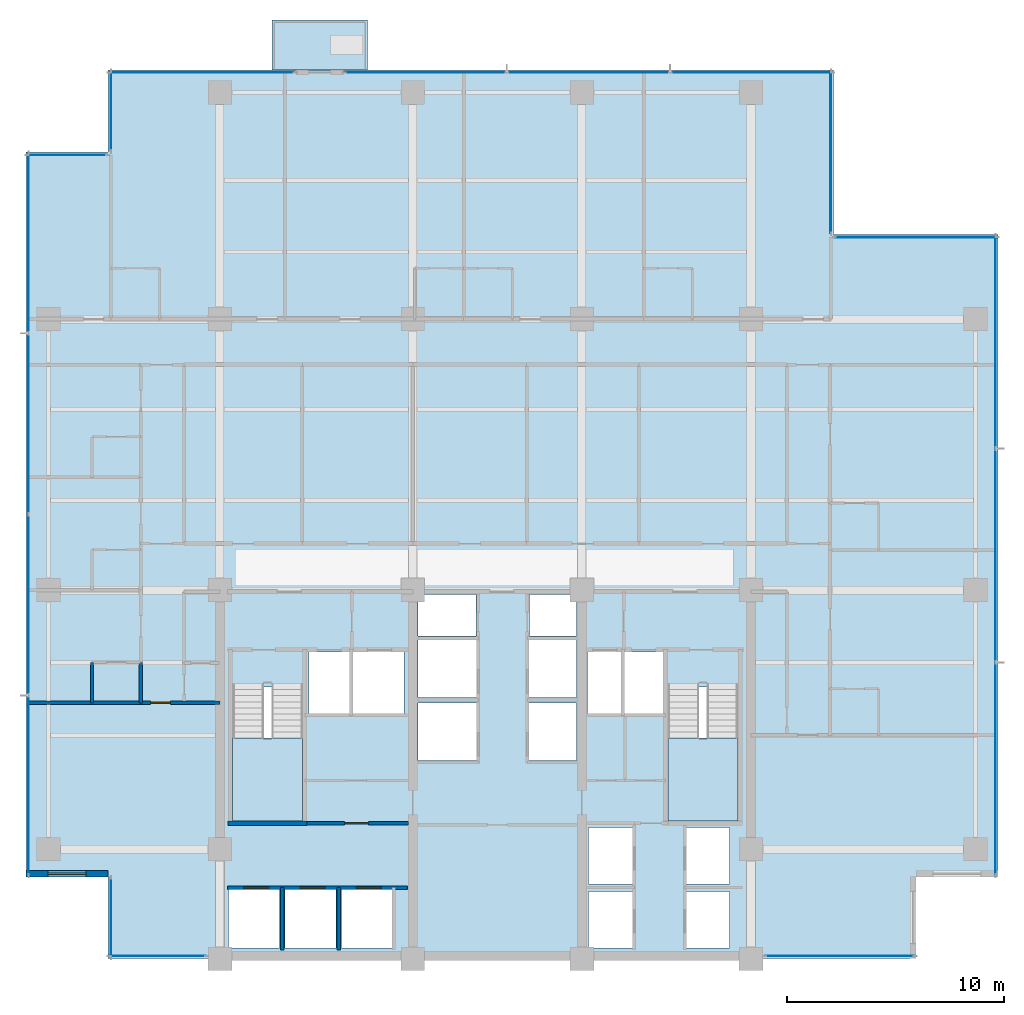
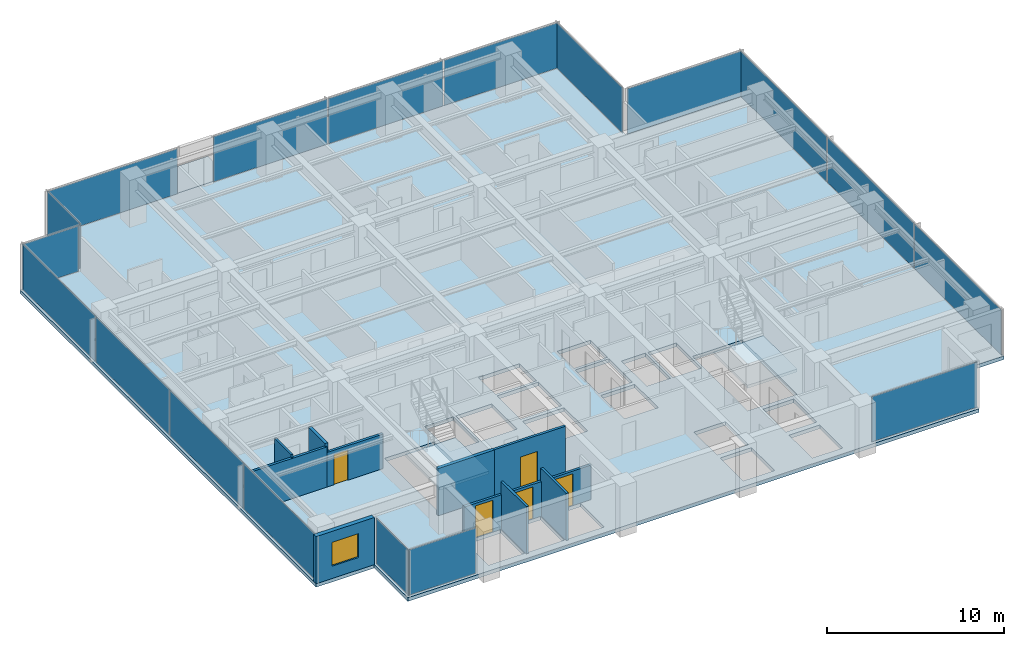
# One storey, part 6 of 15: 18 plates, 10 walls, 5 doors, 4 slabs, 1 window, 6 openings, 13 elements without a shape of their own.
"""IFC4 building model written with IfcOpenShell, lengths in metres."""

from ifc_helpers import new_model, si_unit, direction, frame, frame_2d, origin, origin_2d, place, context, subcontext, project, spatial, polyline, rectangle, outline, extrude, material, layer, layer_set, type_object, element, fill, aggregate, save


model = new_model("IFC4")

# Units and contexts
model_context = context("Model", 3, precision=1e-05, world=origin(), true_north=direction((0.0, 1.0)))
body_context = subcontext(model_context, "Body", "Model", "MODEL_VIEW")
ifc_project = project(units=[si_unit("LENGTHUNIT", "METRE"), si_unit("AREAUNIT", "SQUARE_METRE"), si_unit("VOLUMEUNIT", "CUBIC_METRE"), si_unit("PLANEANGLEUNIT", "RADIAN"), si_unit("MASSUNIT", "GRAM", prefix="KILO")], contexts=[model_context])

# Site, building, storey
site_placement = place(None, origin())
site = spatial("IfcSite", under=ifc_project, at=site_placement, CompositionType="ELEMENT")
building_placement = place(site_placement, origin())
building = spatial("IfcBuilding", under=site, at=building_placement, Name="Qalmaran Belvedere Hotel", CompositionType="ELEMENT")
storey_placement = place(building_placement, frame((0.0, 0.0, 142.10009765625)))
storey = spatial("IfcBuildingStorey", under=building, at=storey_placement, Name="L35", CompositionType="ELEMENT", Elevation=142.10009765625)

# Curtain wall, plate
ifc_material_1 = material(Name="Anodised Bronze Aluminium", Category="aluminium")
ifc_layer_1 = layer(ifc_material_1, 0.195068359375, Name="Anodised Bronze Aluminium")
ifc_layer_set_1 = layer_set([ifc_layer_1], Name="Anodised Bronze Aluminium")
curtain_wall_type = type_object("IfcCurtainWallType", Name="CW4-TOWER-HIGHMID", PredefinedType="NOTDEFINED", material=ifc_layer_set_1)
curtain_wall_1_placement = place(storey_placement, origin())
curtain_wall_1 = element("IfcCurtainWall", 1, at=curtain_wall_1_placement, inside=storey, type_object=curtain_wall_type, Name="L35 Curtain Wall CW4", PredefinedType="NOTDEFINED")
ifc_material_2 = material(Name="Solar-Control Double Glazing", Category="glass")
ifc_layer_2 = layer(ifc_material_2, 0.028076171875, Name="Solar-Control Double Glazing")
ifc_layer_set_2 = layer_set([ifc_layer_2], Name="Solar-Control Double Glazing")
plate_type = type_object("IfcPlateType", Name="CWP-VISION-28", PredefinedType="CURTAIN_PANEL", material=ifc_layer_set_2)
plate_1_placement = place(storey_placement, frame((17.429931640625, 3.6201171875, 0.06494140625), z_axis=(0.0, 0.0, 1.0), x_axis=(1.0, 0.0, 0.0)))
plate_1 = element("IfcPlate", 2, at=plate_1_placement, type_object=plate_type, Name="CW4 panel 1.1", PredefinedType="CURTAIN_PANEL", context=body_context, shape_type="SweptSolid", body=[
    extrude(rectangle(XDim=4.419921875, YDim=0.028076171875, at=origin_2d()), origin(), (0.0, 0.0, 1.0), 3.1201171875),
])
aggregate(curtain_wall_1, [plate_1])

curtain_wall_2_placement = place(storey_placement, origin())
curtain_wall_2 = element("IfcCurtainWall", 3, at=curtain_wall_2_placement, inside=storey, type_object=curtain_wall_type, Name="L35 Curtain Wall CW4", PredefinedType="NOTDEFINED")
plate_2_placement = place(storey_placement, frame((48.89501953125, 3.6201171875, 0.06494140625), z_axis=(0.0, 0.0, 1.0), x_axis=(1.0, 0.0, 0.0)))
plate_2 = element("IfcPlate", 4, at=plate_2_placement, type_object=plate_type, Name="CW4 panel 1.1", PredefinedType="CURTAIN_PANEL", context=body_context, shape_type="SweptSolid", body=[
    extrude(rectangle(XDim=6.8701171875, YDim=0.028076171875, at=origin_2d()), origin(), (0.0, 0.0, 1.0), 3.1201171875),
])
aggregate(curtain_wall_2, [plate_2])

# Curtain wall, plates
curtain_wall_3_placement = place(storey_placement, origin())
curtain_wall_3 = element("IfcCurtainWall", 5, at=curtain_wall_3_placement, inside=storey, type_object=curtain_wall_type, Name="L35 Curtain Wall CW4", PredefinedType="NOTDEFINED")
plate_3_placement = place(storey_placement, frame((56.080078125, 12.250732421875, 0.06494140625), z_axis=(0.0, 0.0, 1.0), x_axis=(0.0, 1.0, 0.0)))
plate_3 = element("IfcPlate", 6, at=plate_3_placement, type_object=plate_type, Name="CW4 panel 1.1", PredefinedType="CURTAIN_PANEL", context=body_context, shape_type="SweptSolid", body=[
    extrude(rectangle(XDim=9.76171875, YDim=0.028076171875, at=origin_2d()), origin(), (0.0, 0.0, 1.0), 3.1201171875),
])
plate_4_placement = place(storey_placement, frame((56.080078125, 22.10009765625, 0.06494140625), z_axis=(0.0, 0.0, 1.0), x_axis=(0.0, 1.0, 0.0)))
plate_4 = element("IfcPlate", 7, at=plate_4_placement, type_object=plate_type, Name="CW4 panel 2.1", PredefinedType="CURTAIN_PANEL", context=body_context, shape_type="SweptSolid", body=[
    extrude(rectangle(XDim=9.796630859375, YDim=0.028076171875, at=origin_2d()), origin(), (0.0, 0.0, 1.0), 3.1201171875),
])
plate_5_placement = place(storey_placement, frame((56.080078125, 31.94921875, 0.06494140625), z_axis=(0.0, 0.0, 1.0), x_axis=(0.0, 1.0, 0.0)))
plate_5 = element("IfcPlate", 8, at=plate_5_placement, type_object=plate_type, Name="CW4 panel 3.1", PredefinedType="CURTAIN_PANEL", context=body_context, shape_type="SweptSolid", body=[
    extrude(rectangle(XDim=9.76171875, YDim=0.028076171875, at=origin_2d()), origin(), (0.0, 0.0, 1.0), 3.1201171875),
])
aggregate(curtain_wall_3, [plate_3, plate_4, plate_5])

# Curtain wall, plate
curtain_wall_4_placement = place(storey_placement, origin())
curtain_wall_4 = element("IfcCurtainWall", 9, at=curtain_wall_4_placement, inside=storey, type_object=curtain_wall_type, Name="L35 Curtain Wall CW4", PredefinedType="NOTDEFINED")
plate_6_placement = place(storey_placement, frame((52.39990234375, 36.780029296875, 0.06494140625), z_axis=(0.0, 0.0, 1.0), x_axis=(-1.0, 0.0, 0.0)))
plate_6 = element("IfcPlate", 10, at=plate_6_placement, type_object=plate_type, Name="CW4 panel 1.1", PredefinedType="CURTAIN_PANEL", context=body_context, shape_type="SweptSolid", body=[
    extrude(rectangle(XDim=7.4599609375, YDim=0.028076171875, at=origin_2d()), origin(), (0.0, 0.0, 1.0), 3.1201171875),
])
aggregate(curtain_wall_4, [plate_6])

curtain_wall_5_placement = place(storey_placement, origin())
curtain_wall_5 = element("IfcCurtainWall", 11, at=curtain_wall_5_placement, inside=storey, type_object=curtain_wall_type, Name="L35 Curtain Wall CW4", PredefinedType="NOTDEFINED")
plate_7_placement = place(storey_placement, frame((48.47998046875, 40.699951171875, 0.06494140625), z_axis=(0.0, 0.0, 1.0), x_axis=(0.0, 1.0, 0.0)))
plate_7 = element("IfcPlate", 12, at=plate_7_placement, type_object=plate_type, Name="CW4 panel 1.1", PredefinedType="CURTAIN_PANEL", context=body_context, shape_type="SweptSolid", body=[
    extrude(rectangle(XDim=7.4599609375, YDim=0.028076171875, at=origin_2d()), origin(), (0.0, 0.0, 1.0), 3.1201171875),
])
aggregate(curtain_wall_5, [plate_7])

curtain_wall_6_placement = place(storey_placement, origin())
curtain_wall_6 = element("IfcCurtainWall", 13, at=curtain_wall_6_placement, inside=storey, type_object=curtain_wall_type, Name="L35 Curtain Wall CW4", PredefinedType="NOTDEFINED")
plate_8_placement = place(storey_placement, frame((19.47509765625, 44.3798828125, 0.06494140625), z_axis=(0.0, 0.0, 1.0), x_axis=(-1.0, 0.0, 0.0)))
plate_8 = element("IfcPlate", 14, at=plate_8_placement, type_object=plate_type, Name="CW4 panel 1.1", PredefinedType="CURTAIN_PANEL", context=body_context, shape_type="SweptSolid", body=[
    extrude(rectangle(XDim=8.510009765625, YDim=0.028076171875, at=origin_2d()), origin(), (0.0, 0.0, 1.0), 3.1201171875),
])
aggregate(curtain_wall_6, [plate_8])

# Curtain wall, plates
curtain_wall_7_placement = place(storey_placement, origin())
curtain_wall_7 = element("IfcCurtainWall", 15, at=curtain_wall_7_placement, inside=storey, type_object=curtain_wall_type, Name="L35 Curtain Wall CW4", PredefinedType="NOTDEFINED")
plate_9_placement = place(storey_placement, frame((44.81591796875, 44.3798828125, 0.06494140625), z_axis=(0.0, 0.0, 1.0), x_axis=(-1.0, 0.0, 0.0)))
plate_9 = element("IfcPlate", 16, at=plate_9_placement, type_object=plate_type, Name="CW4 panel 1.1", PredefinedType="CURTAIN_PANEL", context=body_context, shape_type="SweptSolid", body=[
    extrude(rectangle(XDim=7.42822265625, YDim=0.028076171875, at=origin_2d()), origin(), (0.0, 0.0, 1.0), 3.1201171875),
])
plate_10_placement = place(storey_placement, frame((37.300048828125, 44.3798828125, 0.06494140625), z_axis=(0.0, 0.0, 1.0), x_axis=(-1.0, 0.0, 0.0)))
plate_10 = element("IfcPlate", 17, at=plate_10_placement, type_object=plate_type, Name="CW4 panel 2.1", PredefinedType="CURTAIN_PANEL", context=body_context, shape_type="SweptSolid", body=[
    extrude(rectangle(XDim=7.46337890625, YDim=0.028076171875, at=origin_2d()), origin(), (0.0, 0.0, 1.0), 3.1201171875),
])
plate_11_placement = place(storey_placement, frame((29.7841796875, 44.3798828125, 0.06494140625), z_axis=(0.0, 0.0, 1.0), x_axis=(-1.0, 0.0, 0.0)))
plate_11 = element("IfcPlate", 18, at=plate_11_placement, type_object=plate_type, Name="CW4 panel 3.1", PredefinedType="CURTAIN_PANEL", context=body_context, shape_type="SweptSolid", body=[
    extrude(rectangle(XDim=7.42822265625, YDim=0.028076171875, at=origin_2d()), origin(), (0.0, 0.0, 1.0), 3.1201171875),
])
aggregate(curtain_wall_7, [plate_9, plate_10, plate_11])

# Curtain wall, plate
curtain_wall_8_placement = place(storey_placement, origin())
curtain_wall_8 = element("IfcCurtainWall", 19, at=curtain_wall_8_placement, inside=storey, type_object=curtain_wall_type, Name="L35 Curtain Wall CW4", PredefinedType="NOTDEFINED")
plate_12_placement = place(storey_placement, frame((15.27001953125, 42.60009765625, 0.06494140625), z_axis=(0.0, 0.0, 1.0), x_axis=(0.0, -1.0, 0.0)))
plate_12 = element("IfcPlate", 20, at=plate_12_placement, type_object=plate_type, Name="CW4 panel 1.1", PredefinedType="CURTAIN_PANEL", context=body_context, shape_type="SweptSolid", body=[
    extrude(rectangle(XDim=3.659912109375, YDim=0.028076171875, at=origin_2d()), origin(), (0.0, 0.0, 1.0), 3.1201171875),
])
aggregate(curtain_wall_8, [plate_12])

curtain_wall_9_placement = place(storey_placement, origin())
curtain_wall_9 = element("IfcCurtainWall", 21, at=curtain_wall_9_placement, inside=storey, type_object=curtain_wall_type, Name="L35 Curtain Wall CW4", PredefinedType="NOTDEFINED")
plate_13_placement = place(storey_placement, frame((13.25, 40.580078125, 0.06494140625), z_axis=(0.0, 0.0, 1.0), x_axis=(-1.0, 0.0, 0.0)))
plate_13 = element("IfcPlate", 22, at=plate_13_placement, type_object=plate_type, Name="CW4 panel 1.1", PredefinedType="CURTAIN_PANEL", context=body_context, shape_type="SweptSolid", body=[
    extrude(rectangle(XDim=3.659912109375, YDim=0.028076171875, at=origin_2d()), origin(), (0.0, 0.0, 1.0), 3.1201171875),
])
aggregate(curtain_wall_9, [plate_13])

# Curtain wall, plates
curtain_wall_10_placement = place(storey_placement, origin())
curtain_wall_10 = element("IfcCurtainWall", 23, at=curtain_wall_10_placement, inside=storey, type_object=curtain_wall_type, Name="L35 Curtain Wall CW4", PredefinedType="NOTDEFINED")
plate_14_placement = place(storey_placement, frame((11.469970703125, 36.507568359375, 0.06494140625), z_axis=(0.0, 0.0, 1.0), x_axis=(0.0, -1.0, 0.0)))
plate_14 = element("IfcPlate", 24, at=plate_14_placement, type_object=plate_type, Name="CW4 panel 1.1", PredefinedType="CURTAIN_PANEL", context=body_context, shape_type="SweptSolid", body=[
    extrude(rectangle(XDim=8.2451171875, YDim=0.028076171875, at=origin_2d()), origin(), (0.0, 0.0, 1.0), 3.1201171875),
])
plate_15_placement = place(storey_placement, frame((11.469970703125, 28.175048828125, 0.06494140625), z_axis=(0.0, 0.0, 1.0), x_axis=(0.0, -1.0, 0.0)))
plate_15 = element("IfcPlate", 25, at=plate_15_placement, type_object=plate_type, Name="CW4 panel 2.1", PredefinedType="CURTAIN_PANEL", context=body_context, shape_type="SweptSolid", body=[
    extrude(rectangle(XDim=8.280029296875, YDim=0.028076171875, at=origin_2d()), origin(), (0.0, 0.0, 1.0), 3.1201171875),
])
plate_16_placement = place(storey_placement, frame((11.469970703125, 19.824951171875, 0.06494140625), z_axis=(0.0, 0.0, 1.0), x_axis=(0.0, -1.0, 0.0)))
plate_16 = element("IfcPlate", 26, at=plate_16_placement, type_object=plate_type, Name="CW4 panel 3.1", PredefinedType="CURTAIN_PANEL", context=body_context, shape_type="SweptSolid", body=[
    extrude(rectangle(XDim=8.280029296875, YDim=0.028076171875, at=origin_2d()), origin(), (0.0, 0.0, 1.0), 3.1201171875),
])
plate_17_placement = place(storey_placement, frame((11.469970703125, 11.492431640625, 0.06494140625), z_axis=(0.0, 0.0, 1.0), x_axis=(0.0, -1.0, 0.0)))
plate_17 = element("IfcPlate", 27, at=plate_17_placement, type_object=plate_type, Name="CW4 panel 4.1", PredefinedType="CURTAIN_PANEL", context=body_context, shape_type="SweptSolid", body=[
    extrude(rectangle(XDim=8.2451171875, YDim=0.028076171875, at=origin_2d()), origin(), (0.0, 0.0, 1.0), 3.1201171875),
])
aggregate(curtain_wall_10, [plate_14, plate_15, plate_16, plate_17])

# Curtain wall, plate
curtain_wall_11_placement = place(storey_placement, origin())
curtain_wall_11 = element("IfcCurtainWall", 28, at=curtain_wall_11_placement, inside=storey, type_object=curtain_wall_type, Name="L35 Curtain Wall CW4", PredefinedType="NOTDEFINED")
plate_18_placement = place(storey_placement, frame((15.27001953125, 5.39990234375, 0.06494140625), z_axis=(0.0, 0.0, 1.0), x_axis=(0.0, -1.0, 0.0)))
plate_18 = element("IfcPlate", 29, at=plate_18_placement, type_object=plate_type, Name="CW4 panel 1.1", PredefinedType="CURTAIN_PANEL", context=body_context, shape_type="SweptSolid", body=[
    extrude(rectangle(XDim=3.659912109375, YDim=0.028076171875, at=origin_2d()), origin(), (0.0, 0.0, 1.0), 3.1201171875),
])
aggregate(curtain_wall_11, [plate_18])

# Slab
ifc_material_3 = material(Name="Concrete C40/50", Category="concrete")
ifc_layer_3 = layer(ifc_material_3, 0.219970703125, Name="Concrete C40/50")
ifc_layer_set_3 = layer_set([ifc_layer_3], Name="Concrete C40/50")
slab_type_1 = type_object("IfcSlabType", Name="SLB-BAL-220", PredefinedType="USERDEFINED", material=ifc_layer_set_3)
slab_1_placement = place(storey_placement, frame((0.0, 0.0, -0.22021484375)))
element("IfcSlab", 30, at=slab_1_placement, inside=storey, type_object=slab_type_1, Name="L35 Planted Tree Balcony Slab 1", ObjectType="BALCONY", PredefinedType="USERDEFINED", context=body_context, shape_type="SweptSolid", body=[
    extrude(outline(polyline([(22.699951171875, 44.5), (27.10009765625, 44.5), (27.10009765625, 46.800048828125), (22.699951171875, 46.800048828125), (22.699951171875, 44.5)])), origin(), (0.0, 0.0, 1.0), 0.22021484375),
])

# Stair, slab
stair_type_1 = type_object("IfcStairType", Name="STR-ST-1-1450-R1750", PredefinedType="HALF_TURN_STAIR", material=ifc_material_3)
stair_1_placement = place(storey_placement, origin())
stair_1 = element("IfcStair", 31, at=stair_1_placement, inside=storey, type_object=stair_type_1, Name="L35 West Core Exit Stair ST-1", PredefinedType="HALF_TURN_STAIR")
ifc_layer_4 = layer(ifc_material_3, 0.199951171875, Name="Concrete C40/50")
ifc_layer_set_4 = layer_set([ifc_layer_4], Name="Concrete C40/50")
slab_type_2 = type_object("IfcSlabType", Name="SLB-STAIR-LANDING-200", PredefinedType="LANDING", material=ifc_layer_set_4)
slab_2_placement = place(storey_placement, frame((0.0, 0.0, 1.5498046875)))
slab_2 = element("IfcSlab", 32, at=slab_2_placement, type_object=slab_type_2, Name="ST-1 landing 1", PredefinedType="LANDING", context=body_context, shape_type="SweptSolid", body=[
    extrude(outline(polyline([(20.8798828125, 13.669921875), (20.8798828125, 9.85009765625), (24.1201171875, 9.85009765625), (24.1201171875, 13.669921875), (20.8798828125, 13.669921875)])), origin(), (0.0, 0.0, 1.0), 0.2001953125),
])
aggregate(stair_1, [slab_2])

stair_type_2 = type_object("IfcStairType", Name="STR-ST-2-1450-R1750", PredefinedType="HALF_TURN_STAIR", material=ifc_material_3)
stair_2_placement = place(storey_placement, origin())
stair_2 = element("IfcStair", 33, at=stair_2_placement, inside=storey, type_object=stair_type_2, Name="L35 East Core Exit Stair ST-2", PredefinedType="HALF_TURN_STAIR")
slab_3_placement = place(storey_placement, frame((0.0, 0.0, 1.5498046875)))
slab_3 = element("IfcSlab", 34, at=slab_3_placement, type_object=slab_type_2, Name="ST-2 landing 1", PredefinedType="LANDING", context=body_context, shape_type="SweptSolid", body=[
    extrude(outline(polyline([(40.9599609375, 13.669921875), (40.9599609375, 9.85009765625), (44.199951171875, 9.85009765625), (44.199951171875, 13.669921875), (40.9599609375, 13.669921875)])), origin(), (0.0, 0.0, 1.0), 0.2001953125),
])
aggregate(stair_2, [slab_3])

# Slab
ifc_layer_5 = layer(ifc_material_3, 0.25, Name="Concrete C40/50")
ifc_layer_set_5 = layer_set([ifc_layer_5], Name="Concrete C40/50")
slab_type_3 = type_object("IfcSlabType", Name="SLB-Z3-250", PredefinedType="FLOOR", material=ifc_layer_set_5)
slab_4_placement = place(storey_placement, frame((0.0, 0.0, -0.25)))
element("IfcSlab", 35, at=slab_4_placement, inside=storey, type_object=slab_type_3, Name="L35 Structural Floor Slab", PredefinedType="FLOOR", context=body_context, shape_type="SweptSolid", body=[
    extrude(outline(polyline([(15.14990234375, 3.5), (52.39990234375, 3.5), (52.39990234375, 7.300048828125), (56.199951171875, 7.300048828125), (56.199951171875, 36.89990234375), (48.60009765625, 36.89990234375), (48.60009765625, 44.5), (15.14990234375, 44.5), (15.14990234375, 40.699951171875), (11.35009765625, 40.699951171875), (11.35009765625, 7.300048828125), (15.14990234375, 7.300048828125), (15.14990234375, 3.5)]), holes=[polyline([(20.8798828125, 9.85009765625), (24.1201171875, 9.85009765625), (24.1201171875, 16.0400390625), (20.8798828125, 16.0400390625), (20.8798828125, 9.85009765625)]), polyline([(40.9599609375, 9.85009765625), (44.199951171875, 9.85009765625), (44.199951171875, 16.0400390625), (40.9599609375, 16.0400390625), (40.9599609375, 9.85009765625)]), polyline([(29.445068359375, 12.64990234375), (32.14990234375, 12.64990234375), (32.14990234375, 15.300048828125), (29.445068359375, 15.300048828125), (29.445068359375, 12.64990234375)]), polyline([(29.445068359375, 15.550048828125), (32.14990234375, 15.550048828125), (32.14990234375, 18.199951171875), (29.445068359375, 18.199951171875), (29.445068359375, 15.550048828125)]), polyline([(34.550048828125, 12.64990234375), (36.7548828125, 12.64990234375), (36.7548828125, 15.300048828125), (34.550048828125, 15.300048828125), (34.550048828125, 12.64990234375)]), polyline([(34.550048828125, 15.550048828125), (36.7548828125, 15.550048828125), (36.7548828125, 18.199951171875), (34.550048828125, 18.199951171875), (34.550048828125, 15.550048828125)]), polyline([(37.300048828125, 4.0), (39.35009765625, 4.0), (39.35009765625, 6.60009765625), (37.300048828125, 6.60009765625), (37.300048828125, 4.0)]), polyline([(37.300048828125, 6.949951171875), (39.35009765625, 6.949951171875), (39.35009765625, 9.550048828125), (37.300048828125, 9.550048828125), (37.300048828125, 6.949951171875)]), polyline([(41.800048828125, 4.0), (43.800048828125, 4.0), (43.800048828125, 6.60009765625), (41.800048828125, 6.60009765625), (41.800048828125, 4.0)]), polyline([(41.800048828125, 6.949951171875), (43.800048828125, 6.949951171875), (43.800048828125, 9.550048828125), (41.800048828125, 9.550048828125), (41.800048828125, 6.949951171875)]), polyline([(20.699951171875, 4.0), (23.050048828125, 4.0), (23.050048828125, 6.699951171875), (20.699951171875, 6.699951171875), (20.699951171875, 4.0)]), polyline([(23.300048828125, 4.0), (25.64990234375, 4.0), (25.64990234375, 6.699951171875), (23.300048828125, 6.699951171875), (23.300048828125, 4.0)]), polyline([(25.89990234375, 4.0), (28.25, 4.0), (28.25, 6.699951171875), (25.89990234375, 6.699951171875), (25.89990234375, 4.0)]), polyline([(24.39990234375, 14.800048828125), (26.300048828125, 14.800048828125), (26.300048828125, 17.64990234375), (24.39990234375, 17.64990234375), (24.39990234375, 14.800048828125)]), polyline([(38.949951171875, 14.800048828125), (40.820068359375, 14.800048828125), (40.820068359375, 17.64990234375), (38.949951171875, 17.64990234375), (38.949951171875, 14.800048828125)]), polyline([(26.449951171875, 14.800048828125), (28.800048828125, 14.800048828125), (28.800048828125, 17.64990234375), (26.449951171875, 17.64990234375), (26.449951171875, 14.800048828125)]), polyline([(37.25, 14.800048828125), (38.800048828125, 14.800048828125), (38.800048828125, 17.64990234375), (37.25, 17.64990234375), (37.25, 14.800048828125)]), polyline([(29.445068359375, 18.3798828125), (32.1201171875, 18.3798828125), (32.1201171875, 20.300048828125), (29.445068359375, 20.300048828125), (29.445068359375, 18.3798828125)]), polyline([(34.580078125, 18.3798828125), (36.7548828125, 18.3798828125), (36.7548828125, 20.300048828125), (34.580078125, 20.300048828125), (34.580078125, 18.3798828125)])]), origin(), (0.0, 0.0, 1.0), 0.25),
])

# Wall, opening, window
ifc_material_4 = material(Name="Anodised Bronze Cladding")
ifc_layer_6 = layer(ifc_material_4, 0.280029296875, Name="Anodised Bronze Cladding")
ifc_layer_set_6 = layer_set([ifc_layer_6], Name="Anodised Bronze Cladding")
wall_type_1 = type_object("IfcWallType", Name="WL-EXT-BRNZ-280", PredefinedType="SOLIDWALL", material=ifc_layer_set_6)
wall_1_placement = place(storey_placement, frame((11.35009765625, 7.419921875, 0.0), z_axis=(0.0, 0.0, 1.0), x_axis=(1.0, 0.0, 0.0)))
wall_1 = element("IfcWall", 36, at=wall_1_placement, inside=storey, type_object=wall_type_1, Name="L35 Corner Notch Wall 10", PredefinedType="SOLIDWALL", context=body_context, shape_type="SweptSolid", body=[
    extrude(rectangle(XDim=3.7998046875, YDim=0.280029296875, at=frame_2d((1.89990234375, 0.0))), origin(), (0.0, 0.0, 1.0), 3.25),
])
opening_1_placement = place(wall_1_placement, frame((1.02490234375, 0.0, 0.85009765625)))
opening_1 = element("IfcOpeningElement", 37, at=opening_1_placement, cuts=wall_1, Name="Opening W-N17", PredefinedType="OPENING", context=body_context, shape_type="SweptSolid", body=[
    extrude(rectangle(XDim=1.75, YDim=1.64990234375, at=frame_2d((0.875, 0.824951171875))), frame((0.0, 0.14990234375, 0.0), z_axis=(0.0, -1.0, 0.0), x_axis=(1.0, 0.0, 0.0)), (0.0, 0.0, 1.0), 0.300048828125),
])
window_type = type_object("IfcWindowType", Name="WN-NTC-1750X1650", PartitioningType="SINGLE_PANEL", PredefinedType="WINDOW", material=ifc_material_2)
window_placement = place(opening_1_placement, origin())
window = element("IfcWindow", 38, at=window_placement, inside=storey, type_object=window_type, Name="L35 Corner Notch Window 10", OverallHeight=1.64990234375, OverallWidth=1.75, PartitioningType="SINGLE_PANEL", PredefinedType="WINDOW", context=body_context, shape_type="SweptSolid", body=[
    extrude(rectangle(XDim=1.75, YDim=1.64990234375, at=frame_2d((0.875, 0.824951171875))), frame((0.0, 0.030029296875, 0.0), z_axis=(0.0, -1.0, 0.0), x_axis=(1.0, 0.0, 0.0)), (0.0, 0.0, 1.0), 0.06005859375),
])
fill(opening_1, window)

# Walls
ifc_material_5 = material(Name="Moisture-Resistant Gypsum")
ifc_layer_7 = layer(ifc_material_5, 0.1201171875, Name="Moisture-Resistant Gypsum")
ifc_layer_set_7 = layer_set([ifc_layer_7], Name="Moisture-Resistant Gypsum")
wall_type_2 = type_object("IfcWallType", Name="WL-INT-120-BATH", PredefinedType="PARTITIONING", material=ifc_layer_set_7)
wall_2_placement = place(storey_placement, frame((14.39990234375, 15.300048828125, 0.0), z_axis=(0.0, 0.0, 1.0), x_axis=(0.0, 1.0, 0.0)))
element("IfcWall", 39, at=wall_2_placement, inside=storey, type_object=wall_type_2, Name="L35 Partition WL-L35-WBS00", PredefinedType="PARTITIONING", context=body_context, shape_type="SweptSolid", body=[
    extrude(rectangle(XDim=1.869873046875, YDim=0.1201171875, at=frame_2d((0.93505859375, 0.0))), origin(), (0.0, 0.0, 1.0), 2.98779296875),
])
ifc_material_6 = material(Name="Gypsum Stud Partition")
ifc_layer_8 = layer(ifc_material_6, 0.14990234375, Name="Gypsum Stud Partition")
ifc_layer_set_8 = layer_set([ifc_layer_8], Name="Gypsum Stud Partition")
wall_type_3 = type_object("IfcWallType", Name="WL-INT-150-EI120", PredefinedType="PARTITIONING", material=ifc_layer_set_8)
for number, where, z_axis, x_axis, name in (
    (40, (23.179931640625, 3.89990234375, 0.0), (0.0, 0.0, 1.0), (0.0, 1.0, 0.0), "L35 Partition WL-POM1-L35"),
    (41, (25.780029296875, 3.89990234375, 0.0), (0.0, 0.0, 1.0), (0.0, 1.0, 0.0), "L35 Partition WL-POM2-L35"),
):
    element("IfcWall", number, at=place(storey_placement, frame(where, z_axis=z_axis, x_axis=x_axis)), inside=storey, type_object=wall_type_3, Name=name, PredefinedType="PARTITIONING", context=body_context, shape_type="SweptSolid", body=[
        extrude(rectangle(XDim=2.880126953125, YDim=0.14990234375, at=frame_2d((1.43994140625, 0.0))), origin(), (0.0, 0.0, 1.0), 3.25),
    ])

# Wall, openings, doors
ifc_layer_9 = layer(ifc_material_6, 0.159912109375, Name="Gypsum Stud Partition")
ifc_layer_set_9 = layer_set([ifc_layer_9], Name="Gypsum Stud Partition")
wall_type_4 = type_object("IfcWallType", Name="WL-INT-160-EI120", PredefinedType="PARTITIONING", material=ifc_layer_set_9)
wall_3_placement = place(storey_placement, frame((20.64990234375, 6.780029296875, 0.0), z_axis=(0.0, 0.0, 1.0), x_axis=(1.0, 0.0, 0.0)))
wall_3 = element("IfcWall", 42, at=wall_3_placement, inside=storey, type_object=wall_type_4, Name="L35 Partition WL-POS-L35", PredefinedType="PARTITIONING", context=body_context, shape_type="SweptSolid", body=[
    extrude(rectangle(XDim=8.300048828125, YDim=0.159912109375, at=frame_2d((4.14990234375, 0.0))), origin(), (0.0, 0.0, 1.0), 2.3798828125),
])
opening_2_placement = place(wall_3_placement, frame((0.75, 0.0, 0.0)))
opening_2 = element("IfcOpeningElement", 43, at=opening_2_placement, cuts=wall_3, Name="Opening LD-PO", PredefinedType="OPENING", context=body_context, shape_type="SweptSolid", body=[
    extrude(rectangle(XDim=1.14990234375, YDim=2.199951171875, at=frame_2d((0.574951171875, 1.10009765625))), frame((0.0, 0.08984375, 0.0), z_axis=(0.0, -1.0, 0.0), x_axis=(1.0, 0.0, 0.0)), (0.0, 0.0, 1.0), 0.179931640625),
])
opening_3_placement = place(wall_3_placement, frame((3.35009765625, 0.0, 0.0)))
opening_3 = element("IfcOpeningElement", 44, at=opening_3_placement, cuts=wall_3, Name="Opening LD-PO", PredefinedType="OPENING", context=body_context, shape_type="SweptSolid", body=[
    extrude(rectangle(XDim=1.14990234375, YDim=2.199951171875, at=frame_2d((0.574951171875, 1.10009765625))), frame((0.0, 0.08984375, 0.0), z_axis=(0.0, -1.0, 0.0), x_axis=(1.0, 0.0, 0.0)), (0.0, 0.0, 1.0), 0.179931640625),
])
opening_4_placement = place(wall_3_placement, frame((5.949951171875, 0.0, 0.0)))
opening_4 = element("IfcOpeningElement", 45, at=opening_4_placement, cuts=wall_3, Name="Opening LD-PO", PredefinedType="OPENING", context=body_context, shape_type="SweptSolid", body=[
    extrude(rectangle(XDim=1.14990234375, YDim=2.199951171875, at=frame_2d((0.574951171875, 1.10009765625))), frame((0.0, 0.08984375, 0.0), z_axis=(0.0, -1.0, 0.0), x_axis=(1.0, 0.0, 0.0)), (0.0, 0.0, 1.0), 0.179931640625),
])
door_type_1 = type_object("IfcDoorType", Name="DR-LIFT-PO-1150X2200", OperationType="DOUBLE_DOOR_SLIDING", PredefinedType="DOOR", material=ifc_material_1)
door_1_placement = place(opening_2_placement, origin())
door_1 = element("IfcDoor", 46, at=door_1_placement, inside=storey, type_object=door_type_1, Name="L35 PO1 Shuttle Landing Door", OperationType="DOUBLE_DOOR_SLIDING", OverallHeight=2.199951171875, OverallWidth=1.14990234375, PredefinedType="DOOR", context=body_context, shape_type="SweptSolid", body=[
    extrude(rectangle(XDim=1.14990234375, YDim=2.199951171875, at=frame_2d((0.574951171875, 1.10009765625))), frame((0.0, 0.02490234375, 0.0), z_axis=(0.0, -1.0, 0.0), x_axis=(1.0, 0.0, 0.0)), (0.0, 0.0, 1.0), 0.050048828125),
])
fill(opening_2, door_1)
door_2_placement = place(opening_3_placement, origin())
door_2 = element("IfcDoor", 47, at=door_2_placement, inside=storey, type_object=door_type_1, Name="L35 PO2 Shuttle Landing Door", OperationType="DOUBLE_DOOR_SLIDING", OverallHeight=2.199951171875, OverallWidth=1.14990234375, PredefinedType="DOOR", context=body_context, shape_type="SweptSolid", body=[
    extrude(rectangle(XDim=1.14990234375, YDim=2.199951171875, at=frame_2d((0.574951171875, 1.10009765625))), frame((0.0, 0.02490234375, 0.0), z_axis=(0.0, -1.0, 0.0), x_axis=(1.0, 0.0, 0.0)), (0.0, 0.0, 1.0), 0.050048828125),
])
fill(opening_3, door_2)
door_3_placement = place(opening_4_placement, origin())
door_3 = element("IfcDoor", 48, at=door_3_placement, inside=storey, type_object=door_type_1, Name="L35 PO3 Shuttle Landing Door", OperationType="DOUBLE_DOOR_SLIDING", OverallHeight=2.199951171875, OverallWidth=1.14990234375, PredefinedType="DOOR", context=body_context, shape_type="SweptSolid", body=[
    extrude(rectangle(XDim=1.14990234375, YDim=2.199951171875, at=frame_2d((0.574951171875, 1.10009765625))), frame((0.0, 0.02490234375, 0.0), z_axis=(0.0, -1.0, 0.0), x_axis=(1.0, 0.0, 0.0)), (0.0, 0.0, 1.0), 0.050048828125),
])
fill(opening_4, door_3)

# Wall, opening, door
wall_4_placement = place(storey_placement, frame((24.199951171875, 9.739990234375, 0.0), z_axis=(0.0, 0.0, 1.0), x_axis=(1.0, 0.0, 0.0)))
wall_4 = element("IfcWall", 49, at=wall_4_placement, inside=storey, type_object=wall_type_4, Name="L35 Partition WL-PON-L35", PredefinedType="PARTITIONING", context=body_context, shape_type="SweptSolid", body=[
    extrude(rectangle(XDim=4.800048828125, YDim=0.159912109375, at=frame_2d((2.39990234375, 0.0))), origin(), (0.0, 0.0, 1.0), 3.25),
])
opening_5_placement = place(wall_4_placement, frame((1.85009765625, 0.0, 0.0)))
opening_5 = element("IfcOpeningElement", 50, at=opening_5_placement, cuts=wall_4, Name="Opening FD90", PredefinedType="OPENING", context=body_context, shape_type="SweptSolid", body=[
    extrude(rectangle(XDim=1.10009765625, YDim=2.14990234375, at=frame_2d((0.550048828125, 1.074951171875))), frame((0.0, 0.08984375, 0.0), z_axis=(0.0, -1.0, 0.0), x_axis=(1.0, 0.0, 0.0)), (0.0, 0.0, 1.0), 0.179931640625),
])
ifc_material_7 = material(Name="Steel S355JR", Category="steel")
door_type_2 = type_object("IfcDoorType", Name="DR-FD90-1100X2150", OperationType="NOTDEFINED", PredefinedType="DOOR", material=ifc_material_7)
door_4_placement = place(opening_5_placement, origin())
door_4 = element("IfcDoor", 51, at=door_4_placement, inside=storey, type_object=door_type_2, Name="L35 Shuttle Lobby Passage Door", OperationType="SINGLE_SWING_LEFT", OverallHeight=2.14990234375, OverallWidth=1.10009765625, PredefinedType="DOOR", context=body_context, shape_type="SweptSolid", body=[
    extrude(rectangle(XDim=1.10009765625, YDim=2.14990234375, at=frame_2d((0.550048828125, 1.074951171875))), frame((0.0, 0.02490234375, 0.0), z_axis=(0.0, -1.0, 0.0), x_axis=(1.0, 0.0, 0.0)), (0.0, 0.0, 1.0), 0.050048828125),
])
fill(opening_5, door_4)

ifc_layer_10 = layer(ifc_material_6, 0.159912109375, Name="Gypsum Stud Partition")
ifc_layer_set_10 = layer_set([ifc_layer_10], Name="Gypsum Stud Partition")
wall_type_5 = type_object("IfcWallType", Name="WL-INT-160-EI60", PredefinedType="PARTITIONING", material=ifc_layer_set_10)
wall_5_placement = place(storey_placement, frame((16.64990234375, 15.300048828125, 0.0), z_axis=(0.0, 0.0, 1.0), x_axis=(1.0, 0.0, 0.0)))
wall_5 = element("IfcWall", 52, at=wall_5_placement, inside=storey, type_object=wall_type_5, Name="L35 Partition WL-L35-SWRL", PredefinedType="PARTITIONING", context=body_context, shape_type="SweptSolid", body=[
    extrude(rectangle(XDim=3.650146484375, YDim=0.159912109375, at=frame_2d((1.8251953125, 0.0))), origin(), (0.0, 0.0, 1.0), 2.3798828125),
])
opening_6_placement = place(wall_5_placement, frame((1.369873046875, 0.0, 0.0), z_axis=(0.0, 0.0, 1.0), x_axis=(-1.0, 0.0, 0.0)))
opening_6 = element("IfcOpeningElement", 53, at=opening_6_placement, cuts=wall_5, Name="Opening FD60S1", PredefinedType="OPENING", context=body_context, shape_type="SweptSolid", body=[
    extrude(rectangle(XDim=0.919921875, YDim=2.080078125, at=frame_2d((0.4599609375, 1.0400390625))), frame((0.0, 0.08984375, 0.0), z_axis=(0.0, -1.0, 0.0), x_axis=(1.0, 0.0, 0.0)), (0.0, 0.0, 1.0), 0.179931640625),
])
ifc_material_8 = material(Name="Engineered Oak Veneer")
door_type_3 = type_object("IfcDoorType", Name="DR-FD60S-920X2080", OperationType="NOTDEFINED", PredefinedType="DOOR", material=ifc_material_8)
door_5_placement = place(opening_6_placement, origin())
door_5 = element("IfcDoor", 54, at=door_5_placement, inside=storey, type_object=door_type_3, Name="L35 SW Lounge Door", OperationType="SINGLE_SWING_RIGHT", OverallHeight=2.080078125, OverallWidth=0.919921875, PredefinedType="DOOR", context=body_context, shape_type="SweptSolid", body=[
    extrude(rectangle(XDim=0.919921875, YDim=2.080078125, at=frame_2d((0.4599609375, 1.0400390625))), frame((0.0, 0.02490234375, 0.0), z_axis=(0.0, -1.0, 0.0), x_axis=(1.0, 0.0, 0.0)), (0.0, 0.0, 1.0), 0.050048828125),
])
fill(opening_6, door_5)

# Walls
wall_6_placement = place(storey_placement, frame((11.469970703125, 15.300048828125, 0.0), z_axis=(0.0, 0.0, 1.0), x_axis=(1.0, 0.0, 0.0)))
element("IfcWall", 55, at=wall_6_placement, inside=storey, type_object=wall_type_5, Name="L35 Partition WL-L35-WBOT", PredefinedType="PARTITIONING", context=body_context, shape_type="SweptSolid", body=[
    extrude(rectangle(XDim=5.179931640625, YDim=0.159912109375, at=frame_2d((2.58984375, 0.0))), origin(), (0.0, 0.0, 1.0), 2.77197265625),
])
ifc_layer_11 = layer(ifc_material_6, 0.179931640625, Name="Gypsum Stud Partition")
ifc_layer_set_11 = layer_set([ifc_layer_11], Name="Gypsum Stud Partition")
wall_type_6 = type_object("IfcWallType", Name="WL-INT-180-EI60", PredefinedType="PARTITIONING", material=ifc_layer_set_11)
wall_7_placement = place(storey_placement, frame((16.64990234375, 15.300048828125, 0.0), z_axis=(0.0, 0.0, 1.0), x_axis=(0.0, 1.0, 0.0)))
element("IfcWall", 56, at=wall_7_placement, inside=storey, type_object=wall_type_6, Name="L35 Partition WL-L35-WBC00", PredefinedType="PARTITIONING", context=body_context, shape_type="SweptSolid", body=[
    extrude(rectangle(XDim=1.869873046875, YDim=0.179931640625, at=frame_2d((0.93505859375, 0.0))), origin(), (0.0, 0.0, 1.0), 2.98779296875),
])
ifc_material_9 = material(Name="Concrete C50/60", Category="concrete")
ifc_layer_12 = layer(ifc_material_9, 0.2099609375, Name="Concrete C50/60")
ifc_layer_set_12 = layer_set([ifc_layer_12], Name="Concrete C50/60")
wall_type_7 = type_object("IfcWallType", Name="WL-STAIR-210-C50", PredefinedType="SHEAR", material=ifc_layer_set_12)
wall_8_placement = place(storey_placement, frame((20.669921875, 9.7451171875, 0.0), z_axis=(0.0, 0.0, 1.0), x_axis=(1.0, 0.0, 0.0)))
element("IfcWall", 57, at=wall_8_placement, inside=storey, type_object=wall_type_7, Name="L35 Stair ST-1 South Bearing Wall", PredefinedType="SHEAR", context=body_context, shape_type="SweptSolid", body=[
    extrude(rectangle(XDim=3.66015625, YDim=0.2099609375, at=frame_2d((1.830078125, 0.0))), origin(), (0.0, 0.0, 1.0), 3.25),
])

save(model, "model.ifc")
